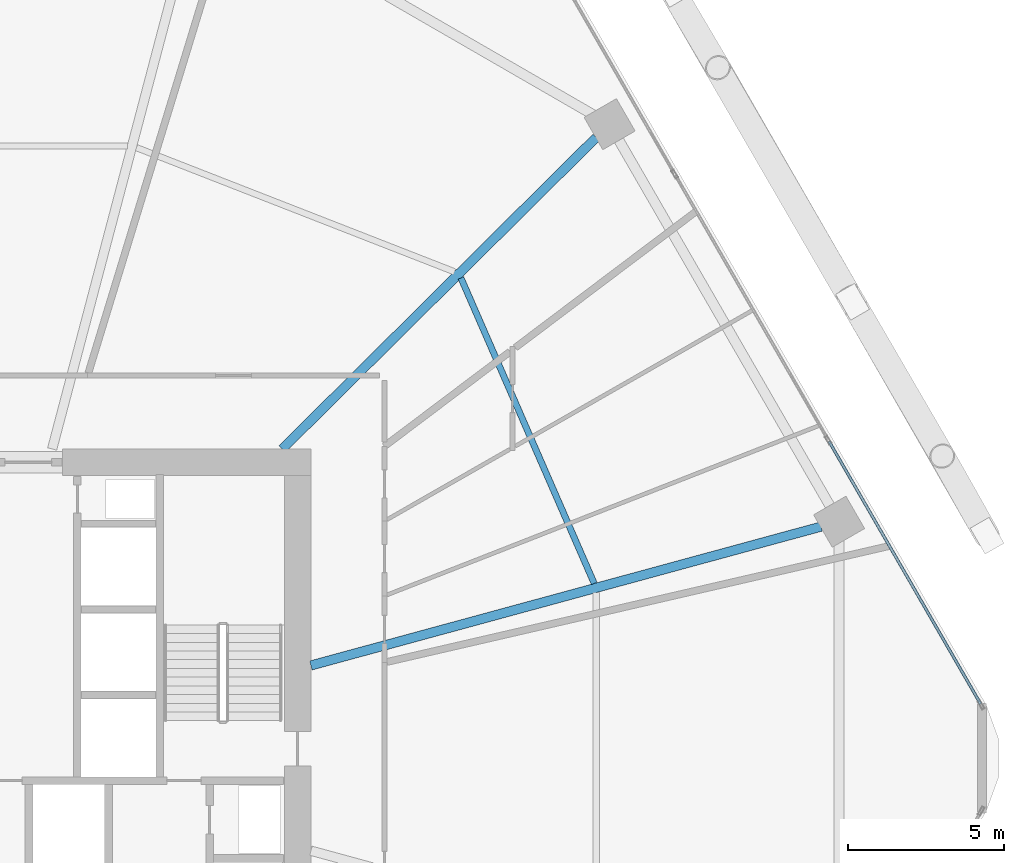
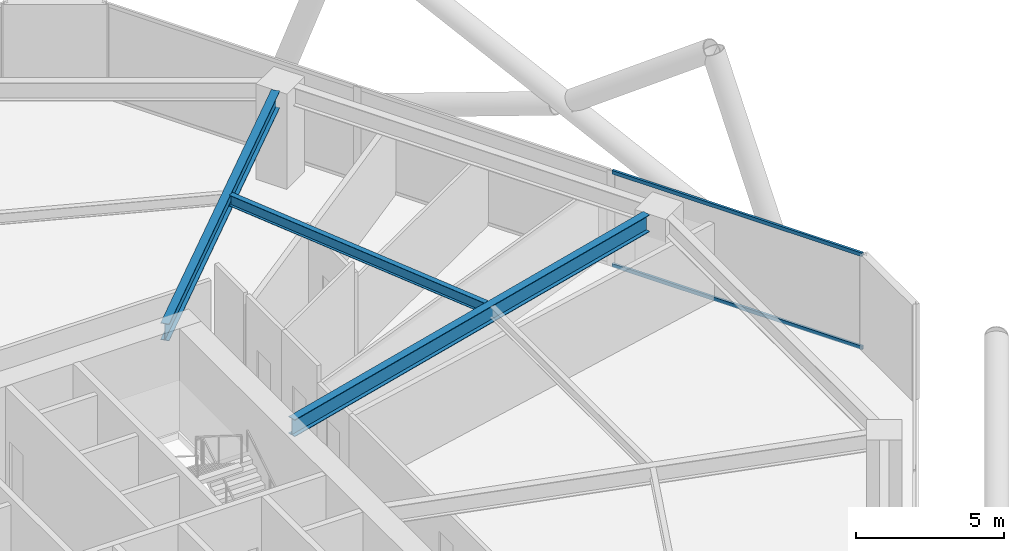
# One storey, part 19 of 29: 3 beams, 2 members, 1 element without a shape of its own.
"""IFC4 building model written with IfcOpenShell, lengths in metres."""

import ifcopenshell
import ifcopenshell.guid

model = None  # the IFC model being written
_history = None  # IfcOwnerHistory: only IFC2X3 demands one
_inside = {}  # id of a spatial element -> (the spatial element, [elements in it])
_under = {}  # id of a project, library or spatial element -> (it, [spatial elements below it])
_declared = {}  # id of a project -> (the project, [libraries it declares])
_typed = {}  # id of a type object -> (the type object, [elements of that type])
_made_of = {}  # id of a material, layer set ... -> (it, [elements and type objects made of it])


def new_model(schema):
    """Start an empty IFC model of exactly this schema.

    Asked for "IFC4X3", IfcOpenShell would pick the latest addendum, in which some entities
    have other attributes; the version numbers below select the first issue.
    IFC2X3 requires an IfcOwnerHistory on every rooted entity: one is made here for all.
    """
    global model, _history
    if schema == "IFC4X3":
        model = ifcopenshell.file(schema_version=(4, 3, 0, 0))
    else:
        model = ifcopenshell.file(schema=schema)
    _inside.clear()
    _under.clear()
    _declared.clear()
    _typed.clear()
    _made_of.clear()
    _history = None
    if model.schema == "IFC2X3":
        org = make("IfcOrganization", Name="unknown")
        user = make(
            "IfcPersonAndOrganization",
            ThePerson=make("IfcPerson", FamilyName="unknown"),
            TheOrganization=org,
        )
        app = make(
            "IfcApplication",
            ApplicationDeveloper=org,
            Version="unknown",
            ApplicationFullName="unknown",
            ApplicationIdentifier="unknown",
        )
        _history = make(
            "IfcOwnerHistory",
            OwningUser=user,
            OwningApplication=app,
            ChangeAction="ADDED",
            CreationDate=0,
        )
    return model


def make(cls, **values):
    """One entity of the class cls with the attributes given. An attribute that is None is left unset."""
    return model.create_entity(
        cls, **{name: value for name, value in values.items() if value is not None}
    )


def rooted(cls, **values):
    """An entity with a GlobalId (a new one), such as an element, a storey or a relation."""
    return make(cls, GlobalId=ifcopenshell.guid.new(), OwnerHistory=_history, **values)


def si_unit(unit_type, name, prefix=None):
    """IfcSIUnit, for example si_unit("LENGTHUNIT", "METRE", prefix="MILLI")."""
    return make("IfcSIUnit", UnitType=unit_type, Prefix=prefix, Name=name)


def assignment(units):
    """IfcUnitAssignment: the units of a project."""
    return None if units is None else make("IfcUnitAssignment", Units=units)


def point(xyz):
    """IfcCartesianPoint."""
    return None if xyz is None else make("IfcCartesianPoint", Coordinates=xyz)


def direction(xyz):
    """IfcDirection."""
    return None if xyz is None else make("IfcDirection", DirectionRatios=xyz)


def frame(location, z_axis=None, x_axis=None):
    """IfcAxis2Placement3D, a coordinate frame: its origin and axes. An axis left out is left unset."""
    return make(
        "IfcAxis2Placement3D",
        Location=point(location),
        Axis=direction(z_axis),
        RefDirection=direction(x_axis),
    )


def frame_2d(location, x_axis=None):
    """IfcAxis2Placement2D, a coordinate frame in the plane: its origin and x axis."""
    return make(
        "IfcAxis2Placement2D", Location=point(location), RefDirection=direction(x_axis)
    )


def origin():
    """The frame at (0, 0, 0) with its axes left unset."""
    return frame((0.0, 0.0, 0.0))


def origin_2d():
    """The frame at (0, 0) in the plane with its x axis left unset."""
    return frame_2d((0.0, 0.0))


def place(relative_to, where):
    """IfcLocalPlacement: puts the frame where relative to a parent placement (None: the world)."""
    return make(
        "IfcLocalPlacement", PlacementRelTo=relative_to, RelativePlacement=where
    )


def context(
    kind, dimensions, precision=None, world=None, true_north=None, identifier=None
):
    """IfcGeometricRepresentationContext, for example the 3D "Model" context."""
    return make(
        "IfcGeometricRepresentationContext",
        ContextIdentifier=identifier,
        ContextType=kind,
        CoordinateSpaceDimension=dimensions,
        Precision=precision,
        WorldCoordinateSystem=world,
        TrueNorth=true_north,
    )


def subcontext(parent, identifier, kind, view, scale=None):
    """IfcGeometricRepresentationSubContext, for example "Body" below "Model"."""
    return make(
        "IfcGeometricRepresentationSubContext",
        ContextIdentifier=identifier,
        ContextType=kind,
        ParentContext=parent,
        TargetScale=scale,
        TargetView=view,
    )


def project(units=None, contexts=None):
    """IfcProject with its units and contexts."""
    return rooted(
        "IfcProject",
        Name="project",
        RepresentationContexts=contexts,
        UnitsInContext=assignment(units),
    )


def spatial(cls, under=None, at=None, **own):
    """A site, building, storey or space (cls), placed at a placement, below another one or the project."""
    s = rooted(cls, ObjectPlacement=at, **own)
    if under is not None:
        _under.setdefault(under.id(), (under, []))[1].append(s)
    return s


def profile(cls, at=None, kind="AREA", **sizes):
    """A parametric profile (cls). Its sizes go by their IFC names, for example OverallWidth=200.0."""
    return make(cls, ProfileType=kind, Position=at, **sizes)


def hollow_rectangle(**sizes):
    """IfcRectangleHollowProfileDef."""
    return profile("IfcRectangleHollowProfileDef", **sizes)


def i_section(**sizes):
    """IfcIShapeProfileDef."""
    return profile("IfcIShapeProfileDef", **sizes)


def extrude(swept, where, along, depth):
    """IfcExtrudedAreaSolid: the profile swept, set in the frame where, extruded along a direction by depth."""
    return make(
        "IfcExtrudedAreaSolid",
        SweptArea=swept,
        Position=where,
        ExtrudedDirection=direction(along),
        Depth=depth,
    )


def shape(context_of_items, identifier, shape_type, items):
    """IfcShapeRepresentation: the items that make up one representation, for example the "Body"."""
    return make(
        "IfcShapeRepresentation",
        ContextOfItems=context_of_items,
        RepresentationIdentifier=identifier,
        RepresentationType=shape_type,
        Items=items,
    )


def material(Name=None, Category=None):
    """IfcMaterial."""
    return make("IfcMaterial", Name=Name, Category=Category)


def material_profile(
    of_material, cross_section, Name=None, Category=None, Priority=None
):
    """IfcMaterialProfile: a cross section and its material."""
    return make(
        "IfcMaterialProfile",
        Name=Name,
        Material=of_material,
        Profile=cross_section,
        Priority=Priority,
        Category=Category,
    )


def profile_set(profiles, Name=None, composite=None):
    """IfcMaterialProfileSet."""
    return make(
        "IfcMaterialProfileSet",
        Name=Name,
        MaterialProfiles=profiles,
        CompositeProfile=composite,
    )


def made_of(thing, what):
    """Note that an element or type object is made of a material, layer set ...; save() writes the relation."""
    if what is not None:
        _made_of.setdefault(what.id(), (what, []))[1].append(thing)
    return thing


def type_object(cls, material=None, **own):
    """A type object (cls), such as IfcWallType, which elements share."""
    return made_of(rooted(cls, **own), material)


def element(
    cls,
    number,
    at=None,
    inside=None,
    cuts=None,
    type_object=None,
    material=None,
    context=None,
    identifier="Body",
    shape_type=None,
    held_by="IfcProductDefinitionShape",
    body=None,
    shapes=None,
    **own,
):
    """One element of the class cls, such as IfcWall. Its Tag is "e" and its number.

    at: its placement. inside: the storey or other place that contains it. cuts: it is an
    opening in that element (IfcRelVoidsElement). A single representation is given by context,
    identifier, shape_type and body (its items); several are given by shapes. held_by: the class
    of the entity that holds the representations. save() writes the other relations.
    """
    e = rooted(cls, Tag="e%d" % number, ObjectPlacement=at, **own)
    if body is not None:
        shapes = [shape(context, identifier, shape_type, body)]
    if shapes is not None:
        e.Representation = make(held_by, Representations=shapes)
    if inside is not None:
        _inside.setdefault(inside.id(), (inside, []))[1].append(e)
    if cuts is not None:
        rooted(
            "IfcRelVoidsElement", RelatingBuildingElement=cuts, RelatedOpeningElement=e
        )
    if type_object is not None:
        _typed.setdefault(type_object.id(), (type_object, []))[1].append(e)
    return made_of(e, material)


def aggregate(whole, parts):
    """IfcRelAggregates: a whole, such as a stair, and the parts it consists of."""
    return rooted("IfcRelAggregates", RelatingObject=whole, RelatedObjects=parts)


def save(model, path):
    """Write the relations noted so far, then the file.

    IfcRelAggregates (storeys below a building ...), IfcRelContainedInSpatialStructure (elements
    in a storey), IfcRelDefinesByType, IfcRelAssociatesMaterial and IfcRelDeclares: one each for
    every whole, place, type object, material and project.
    """
    for whole, parts in _under.values():
        aggregate(whole, parts)
    for where, things in _inside.values():
        rooted(
            "IfcRelContainedInSpatialStructure",
            RelatedElements=things,
            RelatingStructure=where,
        )
    for kind, things in _typed.values():
        rooted("IfcRelDefinesByType", RelatedObjects=things, RelatingType=kind)
    for what, things in _made_of.values():
        rooted("IfcRelAssociatesMaterial", RelatedObjects=things, RelatingMaterial=what)
    for by, libraries in _declared.values():
        rooted("IfcRelDeclares", RelatingContext=by, RelatedDefinitions=libraries)
    model.write(path)


model = new_model("IFC4")

# Units and contexts
model_context = context("Model", 3, precision=1e-05, world=origin(), true_north=direction((0.0, 1.0)))
body_context = subcontext(model_context, "Body", "Model", "MODEL_VIEW")
ifc_project = project(units=[si_unit("LENGTHUNIT", "METRE"), si_unit("AREAUNIT", "SQUARE_METRE"), si_unit("VOLUMEUNIT", "CUBIC_METRE"), si_unit("PLANEANGLEUNIT", "RADIAN"), si_unit("MASSUNIT", "GRAM", prefix="KILO")], contexts=[model_context])

# Site, building, storey
site_placement = place(None, origin())
site = spatial("IfcSite", under=ifc_project, at=site_placement, CompositionType="ELEMENT")
building_placement = place(site_placement, origin())
building = spatial("IfcBuilding", under=site, at=building_placement, Name="Zuhravey Tower", CompositionType="ELEMENT")
storey_placement = place(building_placement, frame((0.0, 0.0, 41.39990234375)))
storey = spatial("IfcBuildingStorey", under=building, at=storey_placement, Name="L10", CompositionType="ELEMENT", Elevation=41.39990234375)

# Curtain wall, members
ifc_material_1 = material(Name="Thermally broken anodised aluminium", Category="aluminium")
curtain_wall_type = type_object("IfcCurtainWallType", Name="School Low-E Unitised Curtain Wall CW1", PredefinedType="NOTDEFINED", material=ifc_material_1)
curtain_wall_placement = place(storey_placement, origin())
curtain_wall = element("IfcCurtainWall", 1, at=curtain_wall_placement, inside=storey, type_object=curtain_wall_type, Name="L10 CW1 CW-L10-F1-1", PredefinedType="NOTDEFINED")
ifc_material_2 = material(Name="Anodised aluminium", Category="aluminium")
ifc_material_profile_1 = material_profile(ifc_material_2, hollow_rectangle(XDim=0.090087890625, YDim=0.14990234375, WallThickness=0.0048828125, at=origin_2d()), Name="ALU-RHS-90x150x5")
ifc_profile_set_1 = profile_set([ifc_material_profile_1], Name="Anodised aluminium")
member_type = type_object("IfcMemberType", Name="Curtain-Wall Transom 90x150", PredefinedType="USERDEFINED", material=ifc_profile_set_1)
member_1_placement = place(storey_placement, frame((63.56787109375, 42.16796875, 0.045166015625), z_axis=(0.500008393077, -0.866020557985, 0.0), x_axis=(0.866020557985, 0.500008393077, 0.0)))
member_1 = element("IfcMember", 2, at=member_1_placement, type_object=member_type, Name="CW1 transom 3.1", ObjectType="TRANSOM", PredefinedType="USERDEFINED", context=body_context, shape_type="SweptSolid", body=[
    extrude(hollow_rectangle(XDim=0.090087890625, YDim=0.14990234375, WallThickness=0.0048828125, at=origin_2d()), origin(), (0.0, 0.0, 1.0), 9.731201171875),
])
member_2_placement = place(storey_placement, frame((63.56787109375, 42.16796875, 3.875), z_axis=(0.500008393077, -0.866020557985, 0.0), x_axis=(0.866020557985, 0.500008393077, 0.0)))
member_2 = element("IfcMember", 3, at=member_2_placement, type_object=member_type, Name="CW1 transom 3.2", ObjectType="TRANSOM", PredefinedType="USERDEFINED", context=body_context, shape_type="SweptSolid", body=[
    extrude(hollow_rectangle(XDim=0.090087890625, YDim=0.14990234375, WallThickness=0.0048828125, at=origin_2d()), origin(), (0.0, 0.0, 1.0), 9.731201171875),
])
aggregate(curtain_wall, [member_1, member_2])

# Beams
ifc_material_3 = material(Name="Steel SM355", Category="steel")
ifc_material_profile_2 = material_profile(ifc_material_3, i_section(OverallWidth=0.300048828125, OverallDepth=0.699951171875, WebThickness=0.012939453125, FlangeThickness=0.02392578125, at=origin_2d()), Name="H-700x300x13x24")
ifc_profile_set_2 = profile_set([ifc_material_profile_2], Name="Steel SM355")
beam_type_1 = type_object("IfcBeamType", Name="Radial Primary Girder H700x300", PredefinedType="BEAM", material=ifc_profile_set_2)
beam_1_placement = place(storey_placement, frame((46.927978515625, 34.974609375, 3.570068359375), z_axis=(0.964892480455, 0.26264520015, 0.0), x_axis=(-0.26264520015, 0.964892480455, 0.0)))
element("IfcBeam", 4, at=beam_1_placement, inside=storey, type_object=beam_type_1, Name="L10 RG1 BM-L10-RAD-01", PredefinedType="BEAM", context=body_context, shape_type="SweptSolid", body=[
    extrude(i_section(OverallWidth=0.300048828125, OverallDepth=0.699951171875, WebThickness=0.012939453125, FlangeThickness=0.02392578125, at=origin_2d()), origin(), (0.0, 0.0, 1.0), 16.975341796875),
])
beam_2_placement = place(storey_placement, frame((46.007080078125, 41.927978515625, 3.570068359375), z_axis=(0.709902823282, 0.704299639, 0.0), x_axis=(-0.704299639, 0.709902823282, 0.0)))
element("IfcBeam", 5, at=beam_2_placement, inside=storey, type_object=beam_type_1, Name="L10 RG1 BM-L10-RAD-02", PredefinedType="BEAM", context=body_context, shape_type="SweptSolid", body=[
    extrude(i_section(OverallWidth=0.300048828125, OverallDepth=0.699951171875, WebThickness=0.012939453125, FlangeThickness=0.02392578125, at=origin_2d()), origin(), (0.0, 0.0, 1.0), 14.204345703125),
])
ifc_material_profile_3 = material_profile(ifc_material_3, i_section(OverallWidth=0.199951171875, OverallDepth=0.449951171875, WebThickness=0.009033203125, FlangeThickness=0.013916015625, at=origin_2d()), Name="H-450x200x9x14")
ifc_profile_set_3 = profile_set([ifc_material_profile_3], Name="Steel SM355")
beam_type_2 = type_object("IfcBeamType", Name="Secondary Floor Joist H450x200", PredefinedType="JOIST", material=ifc_profile_set_3)
beam_3_placement = place(storey_placement, frame((56.025390625, 37.60888671875, 3.695068359375), z_axis=(-0.399923551578, 0.916548500022, 0.0), x_axis=(-0.916548500022, -0.399923551578, 0.0)))
element("IfcBeam", 6, at=beam_3_placement, inside=storey, type_object=beam_type_2, Name="L10 SJ1 BM-L10-SJ-01-1", PredefinedType="JOIST", context=body_context, shape_type="SweptSolid", body=[
    extrude(i_section(OverallWidth=0.199951171875, OverallDepth=0.449951171875, WebThickness=0.009033203125, FlangeThickness=0.013916015625, at=origin_2d()), origin(), (0.0, 0.0, 1.0), 10.70263671875),
])

save(model, "model.ifc")
